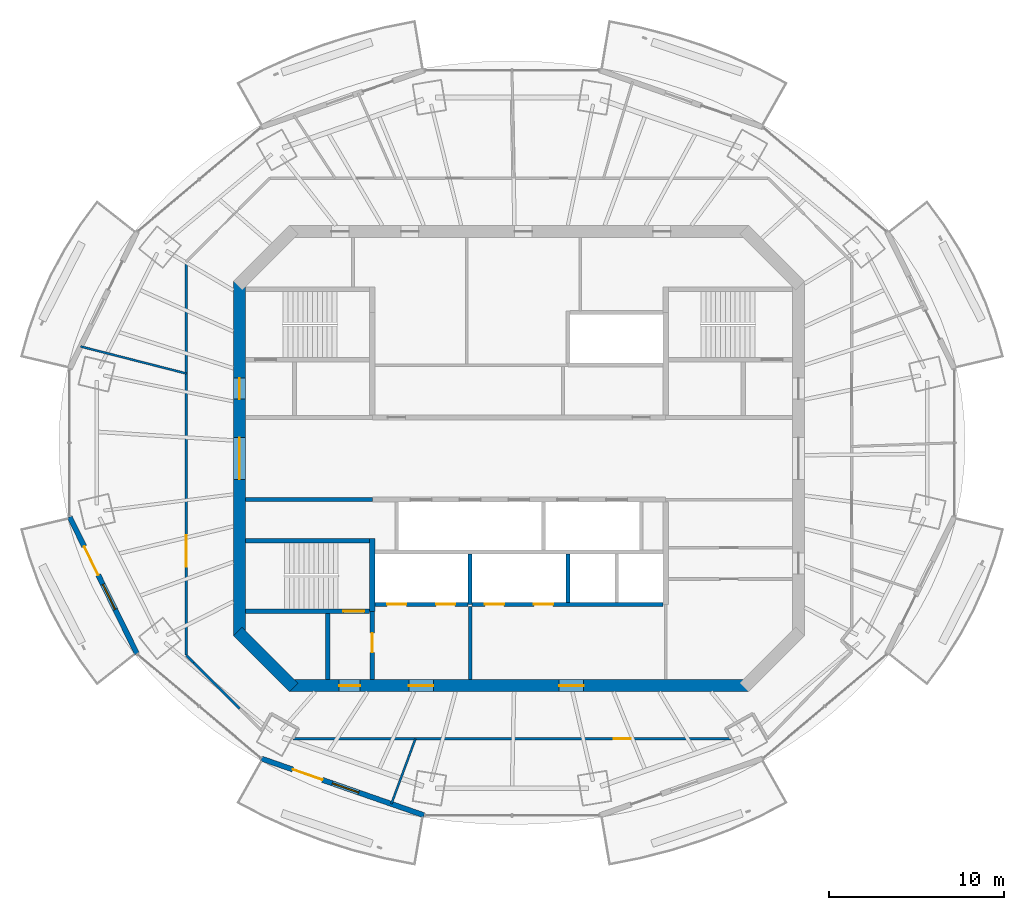
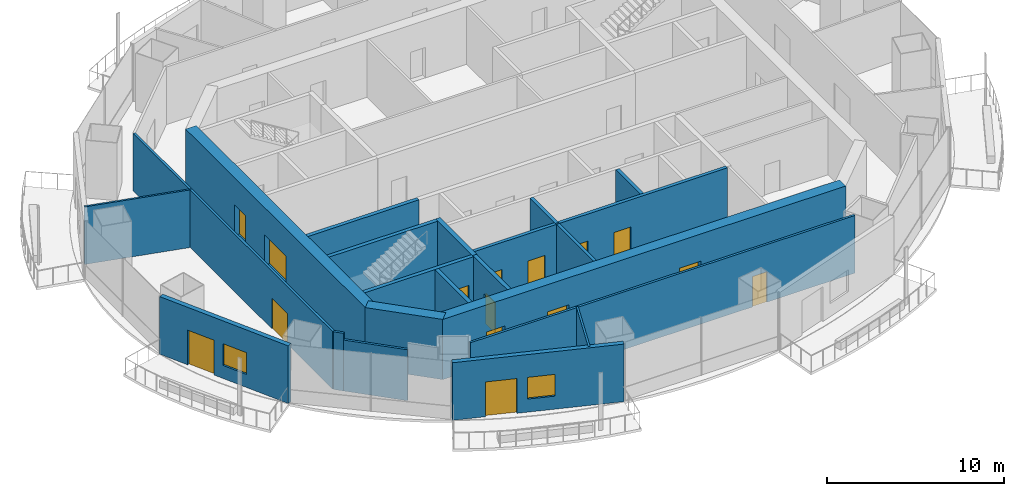
# One storey, part 8 of 16: 22 walls, 15 doors, 2 windows, 17 openings.
"""IFC4 building model written with IfcOpenShell, lengths in metres."""

from ifc_helpers import new_model, si_unit, direction, frame, frame_2d, origin, place, context, subcontext, project, spatial, rectangle, extrude, material, layer, layer_set, type_object, element, fill, save


model = new_model("IFC4")

# Units and contexts
model_context = context("Model", 3, precision=1e-05, world=origin(), true_north=direction((0.0, 1.0)))
body_context = subcontext(model_context, "Body", "Model", "MODEL_VIEW")
ifc_project = project(units=[si_unit("LENGTHUNIT", "METRE"), si_unit("AREAUNIT", "SQUARE_METRE"), si_unit("VOLUMEUNIT", "CUBIC_METRE"), si_unit("PLANEANGLEUNIT", "RADIAN"), si_unit("MASSUNIT", "GRAM", prefix="KILO")], contexts=[model_context])

# Site, building, storey
site_placement = place(None, origin())
site = spatial("IfcSite", under=ifc_project, at=site_placement, CompositionType="ELEMENT")
building_placement = place(site_placement, origin())
building = spatial("IfcBuilding", under=site, at=building_placement, Name="Marenthal Gate Tower", CompositionType="ELEMENT")
storey_placement = place(building_placement, frame((0.0, 0.0, 371.64990234375)))
storey = spatial("IfcBuildingStorey", under=building, at=storey_placement, Name="L84", CompositionType="ELEMENT", Elevation=371.64990234375)

# Wall, openings, doors
ifc_material_1 = material(Name="Concrete 60 MPa", Category="concrete")
ifc_layer_1 = layer(ifc_material_1, 0.699951171875)
ifc_layer_set_1 = layer_set([ifc_layer_1], Name="Core shear wall 700")
wall_type_1 = type_object("IfcWallType", Name="Core shear wall 700", PredefinedType="SHEAR", material=ifc_layer_set_1)
wall_1_placement = place(storey_placement, frame((-16.0, 10.14501953125, -0.179931640625), z_axis=(0.0, 0.0, 1.0), x_axis=(0.0, -1.0, 0.0)))
wall_1 = element("IfcWall", 1, at=wall_1_placement, inside=storey, type_object=wall_type_1, Name="Core wall 06", PredefinedType="SHEAR", context=body_context, shape_type="SweptSolid", body=[
    extrude(rectangle(XDim=20.2900390625, YDim=0.699951171875, at=frame_2d((10.14501953125, 0.0))), origin(), (0.0, 0.0, 1.0), 4.150146484375),
])
opening_1_placement = place(wall_1_placement, frame((8.945068359375, 0.0, 0.179931640625)))
opening_1 = element("IfcOpeningElement", 2, at=opening_1_placement, cuts=wall_1, Name="Opening D003.01", PredefinedType="OPENING", context=body_context, shape_type="SweptSolid", body=[
    extrude(rectangle(XDim=2.39990234375, YDim=2.10009765625, at=frame_2d((1.199951171875, 1.050048828125))), frame((0.0, 0.35986328125, 0.0), z_axis=(0.0, -1.0, 0.0), x_axis=(1.0, 0.0, 0.0)), (0.0, 0.0, 1.0), 0.719970703125),
])
opening_2_placement = place(wall_1_placement, frame((5.544921875, 0.0, 0.179931640625)))
opening_2 = element("IfcOpeningElement", 3, at=opening_2_placement, cuts=wall_1, Name="Opening D001.04", PredefinedType="OPENING", context=body_context, shape_type="SweptSolid", body=[
    extrude(rectangle(XDim=1.199951171875, YDim=2.10009765625, at=frame_2d((0.60009765625, 1.050048828125))), frame((0.0, 0.35986328125, 0.0), z_axis=(0.0, -1.0, 0.0), x_axis=(1.0, 0.0, 0.0)), (0.0, 0.0, 1.0), 0.719970703125),
])
ifc_material_2 = material(Name="Steel fire door", Category="steel")
door_type_1 = type_object("IfcDoorType", Name="Double fire door FD 45 2400 x 2100", OperationType="DOUBLE_DOOR_SINGLE_SWING", PredefinedType="DOOR", material=ifc_material_2)
door_1_placement = place(opening_1_placement, origin())
door_1 = element("IfcDoor", 4, at=door_1_placement, inside=storey, type_object=door_type_1, Name="Door D003.01", OperationType="DOUBLE_DOOR_SINGLE_SWING", OverallHeight=2.10009765625, OverallWidth=2.39990234375, PredefinedType="DOOR", context=body_context, shape_type="SweptSolid", body=[
    extrude(rectangle(XDim=2.39990234375, YDim=2.10009765625, at=frame_2d((1.199951171875, 1.050048828125))), frame((0.0, 0.02490234375, 0.0), z_axis=(0.0, -1.0, 0.0), x_axis=(1.0, 0.0, 0.0)), (0.0, 0.0, 1.0), 0.050048828125),
])
fill(opening_1, door_1)
ifc_material_3 = material(Name="Steel fire door", Category="steel")
door_type_2 = type_object("IfcDoorType", Name="Fire door FD 90 1200 x 2100", OperationType="NOTDEFINED", PredefinedType="DOOR", material=ifc_material_3)
door_2_placement = place(opening_2_placement, origin())
door_2 = element("IfcDoor", 5, at=door_2_placement, inside=storey, type_object=door_type_2, Name="Door D001.04", OperationType="SINGLE_SWING_RIGHT", OverallHeight=2.10009765625, OverallWidth=1.199951171875, PredefinedType="DOOR", context=body_context, shape_type="SweptSolid", body=[
    extrude(rectangle(XDim=1.199951171875, YDim=2.10009765625, at=frame_2d((0.60009765625, 1.050048828125))), frame((0.0, 0.02490234375, 0.0), z_axis=(0.0, -1.0, 0.0), x_axis=(1.0, 0.0, 0.0)), (0.0, 0.0, 1.0), 0.050048828125),
])
fill(opening_2, door_2)

# Wall
wall_2_placement = place(storey_placement, frame((-16.1025390625, -9.8974609375, -0.179931640625), z_axis=(0.0, 0.0, 1.0), x_axis=(0.707106781187, -0.707106781187, 0.0)))
element("IfcWall", 6, at=wall_2_placement, inside=storey, type_object=wall_type_1, Name="Core wall 07", PredefinedType="SHEAR", context=body_context, shape_type="SweptSolid", body=[
    extrude(rectangle(XDim=4.53271484375, YDim=0.699951171875, at=frame_2d((2.266357421875, 0.0))), origin(), (0.0, 0.0, 1.0), 4.150146484375),
])

# Wall, openings, doors
wall_3_placement = place(storey_placement, frame((-13.14501953125, -13.0, -0.179931640625), z_axis=(0.0, 0.0, 1.0), x_axis=(1.0, 0.0, 0.0)))
wall_3 = element("IfcWall", 7, at=wall_3_placement, inside=storey, type_object=wall_type_1, Name="Core wall 08", PredefinedType="SHEAR", context=body_context, shape_type="SweptSolid", body=[
    extrude(rectangle(XDim=26.2900390625, YDim=0.699951171875, at=frame_2d((13.14501953125, 0.0))), origin(), (0.0, 0.0, 1.0), 4.150146484375),
])
opening_3_placement = place(wall_3_placement, frame((2.844970703125, 0.0, 0.179931640625)))
opening_3 = element("IfcOpeningElement", 8, at=opening_3_placement, cuts=wall_3, Name="Opening D001.06", PredefinedType="OPENING", context=body_context, shape_type="SweptSolid", body=[
    extrude(rectangle(XDim=1.199951171875, YDim=2.10009765625, at=frame_2d((0.60009765625, 1.050048828125))), frame((0.0, 0.35986328125, 0.0), z_axis=(0.0, -1.0, 0.0), x_axis=(1.0, 0.0, 0.0)), (0.0, 0.0, 1.0), 0.719970703125),
])
opening_4_placement = place(wall_3_placement, frame((6.844970703125, 0.0, 0.179931640625)))
opening_4 = element("IfcOpeningElement", 9, at=opening_4_placement, cuts=wall_3, Name="Opening D004.01", PredefinedType="OPENING", context=body_context, shape_type="SweptSolid", body=[
    extrude(rectangle(XDim=1.39990234375, YDim=2.10009765625, at=frame_2d((0.699951171875, 1.050048828125))), frame((0.0, 0.35986328125, 0.0), z_axis=(0.0, -1.0, 0.0), x_axis=(1.0, 0.0, 0.0)), (0.0, 0.0, 1.0), 0.719970703125),
])
opening_5_placement = place(wall_3_placement, frame((15.445068359375, 0.0, 0.179931640625)))
opening_5 = element("IfcOpeningElement", 10, at=opening_5_placement, cuts=wall_3, Name="Opening D004.02", PredefinedType="OPENING", context=body_context, shape_type="SweptSolid", body=[
    extrude(rectangle(XDim=1.39990234375, YDim=2.10009765625, at=frame_2d((0.699951171875, 1.050048828125))), frame((0.0, 0.35986328125, 0.0), z_axis=(0.0, -1.0, 0.0), x_axis=(1.0, 0.0, 0.0)), (0.0, 0.0, 1.0), 0.719970703125),
])
ifc_material_4 = material(Name="Steel fire door", Category="steel")
door_type_3 = type_object("IfcDoorType", Name="Fire door FD 45 1400 x 2100", OperationType="NOTDEFINED", PredefinedType="DOOR", material=ifc_material_4)
door_3_placement = place(opening_4_placement, origin())
door_3 = element("IfcDoor", 11, at=door_3_placement, inside=storey, type_object=door_type_3, Name="Door D004.01", OperationType="SINGLE_SWING_RIGHT", OverallHeight=2.10009765625, OverallWidth=1.39990234375, PredefinedType="DOOR", context=body_context, shape_type="SweptSolid", body=[
    extrude(rectangle(XDim=1.39990234375, YDim=2.10009765625, at=frame_2d((0.699951171875, 1.050048828125))), frame((0.0, 0.02490234375, 0.0), z_axis=(0.0, -1.0, 0.0), x_axis=(1.0, 0.0, 0.0)), (0.0, 0.0, 1.0), 0.050048828125),
])
fill(opening_4, door_3)
door_4_placement = place(opening_5_placement, origin())
door_4 = element("IfcDoor", 12, at=door_4_placement, inside=storey, type_object=door_type_3, Name="Door D004.02", OperationType="SINGLE_SWING_RIGHT", OverallHeight=2.10009765625, OverallWidth=1.39990234375, PredefinedType="DOOR", context=body_context, shape_type="SweptSolid", body=[
    extrude(rectangle(XDim=1.39990234375, YDim=2.10009765625, at=frame_2d((0.699951171875, 1.050048828125))), frame((0.0, 0.02490234375, 0.0), z_axis=(0.0, -1.0, 0.0), x_axis=(1.0, 0.0, 0.0)), (0.0, 0.0, 1.0), 0.050048828125),
])
fill(opening_5, door_4)
door_5_placement = place(opening_3_placement, origin())
door_5 = element("IfcDoor", 13, at=door_5_placement, inside=storey, type_object=door_type_2, Name="Door D001.06", OperationType="SINGLE_SWING_RIGHT", OverallHeight=2.10009765625, OverallWidth=1.199951171875, PredefinedType="DOOR", context=body_context, shape_type="SweptSolid", body=[
    extrude(rectangle(XDim=1.199951171875, YDim=2.10009765625, at=frame_2d((0.60009765625, 1.050048828125))), frame((0.0, 0.02490234375, 0.0), z_axis=(0.0, -1.0, 0.0), x_axis=(1.0, 0.0, 0.0)), (0.0, 0.0, 1.0), 0.050048828125),
])
fill(opening_3, door_5)

# Walls
ifc_material_5 = material(Name="Gypsum board on steel studs", Category="steel")
ifc_layer_2 = layer(ifc_material_5, 0.199951171875)
ifc_layer_set_2 = layer_set([ifc_layer_2], Name="Fire lobby wall 200")
wall_type_2 = type_object("IfcWallType", Name="Fire lobby wall 200", PredefinedType="PARTITIONING", material=ifc_layer_set_2)
wall_4_placement = place(storey_placement, frame((-2.800048828125, -12.64990234375, 0.0), z_axis=(0.0, 0.0, 1.0), x_axis=(0.0, 1.0, 0.0)))
element("IfcWall", 14, at=wall_4_placement, inside=storey, type_object=wall_type_2, Name="Fire wall 38", PredefinedType="PARTITIONING", context=body_context, shape_type="SweptSolid", body=[
    extrude(rectangle(XDim=4.18994140625, YDim=0.199951171875, at=frame_2d((2.094970703125, 0.0))), origin(), (0.0, 0.0, 1.0), 3.97021484375),
])
ifc_material_6 = material(Name="Concrete 50 MPa", Category="concrete")
ifc_layer_3 = layer(ifc_material_6, 0.300048828125)
ifc_layer_set_3 = layer_set([ifc_layer_3], Name="Hoistway shear wall 300")
wall_type_3 = type_object("IfcWallType", Name="Hoistway shear wall 300", PredefinedType="SHEAR", material=ifc_layer_set_3)
wall_5_placement = place(storey_placement, frame((-8.39990234375, -8.75, -0.179931640625), z_axis=(0.0, 0.0, 1.0), x_axis=(0.0, 1.0, 0.0)))
element("IfcWall", 15, at=wall_5_placement, inside=storey, type_object=wall_type_3, Name="Hoistway wall 33", PredefinedType="SHEAR", context=body_context, shape_type="SweptSolid", body=[
    extrude(rectangle(XDim=4.175048828125, YDim=0.300048828125, at=frame_2d((2.08740234375, 0.0))), origin(), (0.0, 0.0, 1.0), 4.150146484375),
])

# Wall, openings, doors
ifc_material_7 = material(Name="Concrete 40 MPa", Category="concrete")
ifc_layer_4 = layer(ifc_material_7, 0.219970703125)
ifc_layer_set_4 = layer_set([ifc_layer_4], Name="Hoistway wall 220")
wall_type_4 = type_object("IfcWallType", Name="Hoistway wall 220", PredefinedType="STANDARD", material=ifc_layer_set_4)
wall_6_placement = place(storey_placement, frame((-8.25, -8.35009765625, 0.0), z_axis=(0.0, 0.0, 1.0), x_axis=(1.0, 0.0, 0.0)))
wall_6 = element("IfcWall", 16, at=wall_6_placement, inside=storey, type_object=wall_type_4, Name="Hoistway wall 10", PredefinedType="STANDARD", context=body_context, shape_type="SweptSolid", body=[
    extrude(rectangle(XDim=5.340087890625, YDim=0.219970703125, at=frame_2d((2.669921875, 0.0))), origin(), (0.0, 0.0, 1.0), 3.97021484375),
])
opening_6_placement = place(wall_6_placement, frame((0.699951171875, 0.0, 0.0)))
opening_6 = element("IfcOpeningElement", 17, at=opening_6_placement, cuts=wall_6, Name="Opening LD-LF1", PredefinedType="OPENING", context=body_context, shape_type="SweptSolid", body=[
    extrude(rectangle(XDim=1.10009765625, YDim=2.10009765625, at=frame_2d((0.550048828125, 1.050048828125))), frame((0.0, 0.1201171875, 0.0), z_axis=(0.0, -1.0, 0.0), x_axis=(1.0, 0.0, 0.0)), (0.0, 0.0, 1.0), 0.239990234375),
])
opening_7_placement = place(wall_6_placement, frame((3.5, 0.0, 0.0)))
opening_7 = element("IfcOpeningElement", 18, at=opening_7_placement, cuts=wall_6, Name="Opening LD-LF2", PredefinedType="OPENING", context=body_context, shape_type="SweptSolid", body=[
    extrude(rectangle(XDim=1.10009765625, YDim=2.10009765625, at=frame_2d((0.550048828125, 1.050048828125))), frame((0.0, 0.1201171875, 0.0), z_axis=(0.0, -1.0, 0.0), x_axis=(1.0, 0.0, 0.0)), (0.0, 0.0, 1.0), 0.239990234375),
])
ifc_material_8 = material(Name="Stainless steel sliding door", Category="steel")
door_type_4 = type_object("IfcDoorType", Name="Lift landing door FD 90 1100 x 2100", OperationType="DOUBLE_DOOR_SLIDING", PredefinedType="DOOR", material=ifc_material_8)
door_6_placement = place(opening_6_placement, origin())
door_6 = element("IfcDoor", 19, at=door_6_placement, inside=storey, type_object=door_type_4, Name="Lift landing door LF1", OperationType="DOUBLE_DOOR_SLIDING", OverallHeight=2.10009765625, OverallWidth=1.10009765625, PredefinedType="DOOR", context=body_context, shape_type="SweptSolid", body=[
    extrude(rectangle(XDim=1.10009765625, YDim=2.10009765625, at=frame_2d((0.550048828125, 1.050048828125))), frame((0.0, 0.02490234375, 0.0), z_axis=(0.0, -1.0, 0.0), x_axis=(1.0, 0.0, 0.0)), (0.0, 0.0, 1.0), 0.050048828125),
])
fill(opening_6, door_6)
door_7_placement = place(opening_7_placement, origin())
door_7 = element("IfcDoor", 20, at=door_7_placement, inside=storey, type_object=door_type_4, Name="Lift landing door LF2", OperationType="DOUBLE_DOOR_SLIDING", OverallHeight=2.10009765625, OverallWidth=1.10009765625, PredefinedType="DOOR", context=body_context, shape_type="SweptSolid", body=[
    extrude(rectangle(XDim=1.10009765625, YDim=2.10009765625, at=frame_2d((0.550048828125, 1.050048828125))), frame((0.0, 0.02490234375, 0.0), z_axis=(0.0, -1.0, 0.0), x_axis=(1.0, 0.0, 0.0)), (0.0, 0.0, 1.0), 0.050048828125),
])
fill(opening_7, door_7)

wall_7_placement = place(storey_placement, frame((-2.68994140625, -8.35009765625, 0.0), z_axis=(0.0, 0.0, 1.0), x_axis=(1.0, 0.0, 0.0)))
wall_7 = element("IfcWall", 21, at=wall_7_placement, inside=storey, type_object=wall_type_4, Name="Hoistway wall 11", PredefinedType="STANDARD", context=body_context, shape_type="SweptSolid", body=[
    extrude(rectangle(XDim=10.93994140625, YDim=0.219970703125, at=frame_2d((5.469970703125, 0.0))), origin(), (0.0, 0.0, 1.0), 3.97021484375),
])
opening_8_placement = place(wall_7_placement, frame((0.739990234375, 0.0, 0.0)))
opening_8 = element("IfcOpeningElement", 22, at=opening_8_placement, cuts=wall_7, Name="Opening LD-SV1", PredefinedType="OPENING", context=body_context, shape_type="SweptSolid", body=[
    extrude(rectangle(XDim=1.10009765625, YDim=2.10009765625, at=frame_2d((0.550048828125, 1.050048828125))), frame((0.0, 0.1201171875, 0.0), z_axis=(0.0, -1.0, 0.0), x_axis=(1.0, 0.0, 0.0)), (0.0, 0.0, 1.0), 0.239990234375),
])
opening_9_placement = place(wall_7_placement, frame((3.5400390625, 0.0, 0.0)))
opening_9 = element("IfcOpeningElement", 23, at=opening_9_placement, cuts=wall_7, Name="Opening LD-SV2", PredefinedType="OPENING", context=body_context, shape_type="SweptSolid", body=[
    extrude(rectangle(XDim=1.10009765625, YDim=2.10009765625, at=frame_2d((0.550048828125, 1.050048828125))), frame((0.0, 0.1201171875, 0.0), z_axis=(0.0, -1.0, 0.0), x_axis=(1.0, 0.0, 0.0)), (0.0, 0.0, 1.0), 0.239990234375),
])
door_8_placement = place(opening_8_placement, origin())
door_8 = element("IfcDoor", 24, at=door_8_placement, inside=storey, type_object=door_type_4, Name="Lift landing door SV1", OperationType="DOUBLE_DOOR_SLIDING", OverallHeight=2.10009765625, OverallWidth=1.10009765625, PredefinedType="DOOR", context=body_context, shape_type="SweptSolid", body=[
    extrude(rectangle(XDim=1.10009765625, YDim=2.10009765625, at=frame_2d((0.550048828125, 1.050048828125))), frame((0.0, 0.02490234375, 0.0), z_axis=(0.0, -1.0, 0.0), x_axis=(1.0, 0.0, 0.0)), (0.0, 0.0, 1.0), 0.050048828125),
])
fill(opening_8, door_8)
door_9_placement = place(opening_9_placement, origin())
door_9 = element("IfcDoor", 25, at=door_9_placement, inside=storey, type_object=door_type_4, Name="Lift landing door SV2", OperationType="DOUBLE_DOOR_SLIDING", OverallHeight=2.10009765625, OverallWidth=1.10009765625, PredefinedType="DOOR", context=body_context, shape_type="SweptSolid", body=[
    extrude(rectangle(XDim=1.10009765625, YDim=2.10009765625, at=frame_2d((0.550048828125, 1.050048828125))), frame((0.0, 0.02490234375, 0.0), z_axis=(0.0, -1.0, 0.0), x_axis=(1.0, 0.0, 0.0)), (0.0, 0.0, 1.0), 0.050048828125),
])
fill(opening_9, door_9)

# Walls
wall_8_placement = place(storey_placement, frame((-2.800048828125, -8.35009765625, 0.0), z_axis=(0.0, 0.0, 1.0), x_axis=(0.0, 1.0, 0.0)))
element("IfcWall", 26, at=wall_8_placement, inside=storey, type_object=wall_type_4, Name="Hoistway wall 39", PredefinedType="STANDARD", context=body_context, shape_type="SweptSolid", body=[
    extrude(rectangle(XDim=2.89013671875, YDim=0.219970703125, at=frame_2d((1.445068359375, 0.0))), origin(), (0.0, 0.0, 1.0), 3.97021484375),
])
wall_9_placement = place(storey_placement, frame((2.800048828125, -8.239990234375, 0.0), z_axis=(0.0, 0.0, 1.0), x_axis=(0.0, 1.0, 0.0)))
element("IfcWall", 27, at=wall_9_placement, inside=storey, type_object=wall_type_4, Name="Hoistway wall 42", PredefinedType="STANDARD", context=body_context, shape_type="SweptSolid", body=[
    extrude(rectangle(XDim=2.780029296875, YDim=0.219970703125, at=frame_2d((1.39013671875, 0.0))), origin(), (0.0, 0.0, 1.0), 3.97021484375),
])
ifc_material_9 = material(Name="Gypsum board on steel studs", Category="steel")
ifc_layer_5 = layer(ifc_material_9, 0.1201171875)
ifc_layer_set_5 = layer_set([ifc_layer_5], Name="Partition 120")
wall_type_5 = type_object("IfcWallType", Name="Partition 120", PredefinedType="PARTITIONING", material=ifc_layer_set_5)
wall_10_placement = place(storey_placement, frame((-19.050048828125, 4.868408203125, 0.0), z_axis=(0.0, 0.0, 1.0), x_axis=(-0.968871434857, 0.247564421351, 0.0)))
element("IfcWall", 28, at=wall_10_placement, inside=storey, type_object=wall_type_5, Name="Partition wall 53", PredefinedType="PARTITIONING", context=body_context, shape_type="SweptSolid", body=[
    extrude(rectangle(XDim=6.244384765625, YDim=0.1201171875, at=frame_2d((3.1220703125, 0.0))), origin(), (0.0, 0.0, 1.0), 3.97021484375),
])
wall_11_placement = place(storey_placement, frame((-5.929931640625, -16.050048828125, 0.0), z_axis=(0.0, 0.0, 1.0), x_axis=(-0.346585471855, -0.938018395715, 0.0)))
element("IfcWall", 29, at=wall_11_placement, inside=storey, type_object=wall_type_5, Name="Partition wall 62", PredefinedType="PARTITIONING", context=body_context, shape_type="SweptSolid", body=[
    extrude(rectangle(XDim=3.971435546875, YDim=0.1201171875, at=frame_2d((1.98583984375, 0.0))), origin(), (0.0, 0.0, 1.0), 3.97021484375),
])

# Wall, opening, door
ifc_material_10 = material(Name="Gypsum board on steel studs", Category="steel")
ifc_layer_6 = layer(ifc_material_10, 0.14990234375)
ifc_layer_set_6 = layer_set([ifc_layer_6], Name="Partition 150")
wall_type_6 = type_object("IfcWallType", Name="Partition 150", PredefinedType="PARTITIONING", material=ifc_layer_set_6)
wall_12_placement = place(storey_placement, frame((-19.050048828125, -11.263427734375, 0.0), z_axis=(0.0, 0.0, 1.0), x_axis=(0.0, 1.0, 0.0)))
wall_12 = element("IfcWall", 30, at=wall_12_placement, inside=storey, type_object=wall_type_6, Name="Partition wall 52", PredefinedType="PARTITIONING", context=body_context, shape_type="SweptSolid", body=[
    extrude(rectangle(XDim=22.52685546875, YDim=0.14990234375, at=frame_2d((11.263427734375, 0.0))), origin(), (0.0, 0.0, 1.0), 3.97021484375),
])
opening_10_placement = place(wall_12_placement, frame((5.06494140625, 0.0, 0.0)))
opening_10 = element("IfcOpeningElement", 31, at=opening_10_placement, cuts=wall_12, Name="Opening D014.03", PredefinedType="OPENING", context=body_context, shape_type="SweptSolid", body=[
    extrude(rectangle(XDim=1.800048828125, YDim=2.10009765625, at=frame_2d((0.89990234375, 1.050048828125))), frame((0.0, 0.0849609375, 0.0), z_axis=(0.0, -1.0, 0.0), x_axis=(1.0, 0.0, 0.0)), (0.0, 0.0, 1.0), 0.169921875),
])
ifc_material_11 = material(Name="Timber door", Category="wood")
door_type_5 = type_object("IfcDoorType", Name="Double door 1800 x 2100", OperationType="DOUBLE_DOOR_SINGLE_SWING", PredefinedType="DOOR", material=ifc_material_11)
door_10_placement = place(opening_10_placement, origin())
door_10 = element("IfcDoor", 32, at=door_10_placement, inside=storey, type_object=door_type_5, Name="Door D014.03", OperationType="DOUBLE_DOOR_SINGLE_SWING", OverallHeight=2.10009765625, OverallWidth=1.800048828125, PredefinedType="DOOR", context=body_context, shape_type="SweptSolid", body=[
    extrude(rectangle(XDim=1.800048828125, YDim=2.10009765625, at=frame_2d((0.89990234375, 1.050048828125))), frame((0.0, 0.02490234375, 0.0), z_axis=(0.0, -1.0, 0.0), x_axis=(1.0, 0.0, 0.0)), (0.0, 0.0, 1.0), 0.050048828125),
])
fill(opening_10, door_10)

# Walls
wall_13_placement = place(storey_placement, frame((-15.99267578125, -14.32080078125, 0.0), z_axis=(0.0, 0.0, 1.0), x_axis=(-0.70707399087, 0.707139569983, 0.0)))
element("IfcWall", 33, at=wall_13_placement, inside=storey, type_object=wall_type_6, Name="Partition wall 77", PredefinedType="PARTITIONING", context=body_context, shape_type="SweptSolid", body=[
    extrude(rectangle(XDim=3.722900390625, YDim=0.14990234375, at=frame_2d((1.861328125, 0.0))), origin(), (0.0, 0.0, 1.0), 3.51318359375),
])
wall_14_placement = place(storey_placement, frame((-18.625, -11.688232421875, 0.0), z_axis=(0.0, 0.0, 1.0), x_axis=(-0.707309885233, 0.706903618785, 0.0)))
element("IfcWall", 34, at=wall_14_placement, inside=storey, type_object=wall_type_6, Name="Partition wall 78", PredefinedType="PARTITIONING", context=body_context, shape_type="SweptSolid", body=[
    extrude(rectangle(XDim=0.600830078125, YDim=0.14990234375, at=frame_2d((0.30029296875, 0.0))), origin(), (0.0, 0.0, 1.0), 3.97021484375),
])

# Wall, opening, door
wall_15_placement = place(storey_placement, frame((12.140380859375, -16.050048828125, 0.0), z_axis=(0.0, 0.0, 1.0), x_axis=(-1.0, 0.0, 0.0)))
wall_15 = element("IfcWall", 35, at=wall_15_placement, inside=storey, type_object=wall_type_6, Name="Partition wall 66", PredefinedType="PARTITIONING", context=body_context, shape_type="SweptSolid", body=[
    extrude(rectangle(XDim=25.080810546875, YDim=0.14990234375, at=frame_2d((12.54052734375, 0.0))), origin(), (0.0, 0.0, 1.0), 3.97021484375),
])
opening_11_placement = place(wall_15_placement, frame((5.751953125, 0.0, 0.0)))
opening_11 = element("IfcOpeningElement", 36, at=opening_11_placement, cuts=wall_15, Name="Opening D016.05", PredefinedType="OPENING", context=body_context, shape_type="SweptSolid", body=[
    extrude(rectangle(XDim=0.949951171875, YDim=2.10009765625, at=frame_2d((0.47509765625, 1.050048828125))), frame((0.0, 0.0849609375, 0.0), z_axis=(0.0, -1.0, 0.0), x_axis=(1.0, 0.0, 0.0)), (0.0, 0.0, 1.0), 0.169921875),
])
ifc_material_12 = material(Name="Timber door", Category="wood")
door_type_6 = type_object("IfcDoorType", Name="Door 950 x 2100", OperationType="NOTDEFINED", PredefinedType="DOOR", material=ifc_material_12)
door_11_placement = place(opening_11_placement, frame((0.949951171875, 0.0, 0.0), z_axis=(0.0, 0.0, 1.0), x_axis=(-1.0, 0.0, 0.0)))
door_11 = element("IfcDoor", 37, at=door_11_placement, inside=storey, type_object=door_type_6, Name="Door D016.05", OperationType="SINGLE_SWING_LEFT", OverallHeight=2.10009765625, OverallWidth=0.949951171875, PredefinedType="DOOR", context=body_context, shape_type="SweptSolid", body=[
    extrude(rectangle(XDim=0.949951171875, YDim=2.10009765625, at=frame_2d((0.47509765625, 1.050048828125))), frame((0.0, 0.02490234375, 0.0), z_axis=(0.0, -1.0, 0.0), x_axis=(1.0, 0.0, 0.0)), (0.0, 0.0, 1.0), 0.050048828125),
])
fill(opening_11, door_11)

# Walls
ifc_material_13 = material(Name="Concrete 40 MPa", Category="concrete")
ifc_layer_7 = layer(ifc_material_13, 0.25)
ifc_layer_set_7 = layer_set([ifc_layer_7], Name="Stair enclosure wall 250")
wall_type_7 = type_object("IfcWallType", Name="Stair enclosure wall 250", PredefinedType="STANDARD", material=ifc_layer_set_7)
wall_16_placement = place(storey_placement, frame((-15.64990234375, -2.35009765625, 0.0), z_axis=(0.0, 0.0, 1.0), x_axis=(1.0, 0.0, 0.0)))
element("IfcWall", 38, at=wall_16_placement, inside=storey, type_object=wall_type_7, Name="Stair wall 16", PredefinedType="STANDARD", context=body_context, shape_type="SweptSolid", body=[
    extrude(rectangle(XDim=7.25, YDim=0.25, at=frame_2d((3.625, 0.0))), origin(), (0.0, 0.0, 1.0), 3.97021484375),
])
wall_17_placement = place(storey_placement, frame((-10.949951171875, -12.64990234375, 0.0), z_axis=(0.0, 0.0, 1.0), x_axis=(0.0, 1.0, 0.0)))
element("IfcWall", 39, at=wall_17_placement, inside=storey, type_object=wall_type_7, Name="Stair wall 30", PredefinedType="STANDARD", context=body_context, shape_type="SweptSolid", body=[
    extrude(rectangle(XDim=3.77490234375, YDim=0.25, at=frame_2d((1.887451171875, 0.0))), origin(), (0.0, 0.0, 1.0), 3.97021484375),
])

# Wall, opening, door
wall_18_placement = place(storey_placement, frame((-8.39990234375, -12.64990234375, 0.0), z_axis=(0.0, 0.0, 1.0), x_axis=(0.0, 1.0, 0.0)))
wall_18 = element("IfcWall", 40, at=wall_18_placement, inside=storey, type_object=wall_type_7, Name="Stair wall 32", PredefinedType="STANDARD", context=body_context, shape_type="SweptSolid", body=[
    extrude(rectangle(XDim=3.89990234375, YDim=0.25, at=frame_2d((1.949951171875, 0.0))), origin(), (0.0, 0.0, 1.0), 3.97021484375),
])
opening_12_placement = place(wall_18_placement, frame((1.550048828125, 0.0, 0.0)))
opening_12 = element("IfcOpeningElement", 41, at=opening_12_placement, cuts=wall_18, Name="Opening D002.01", PredefinedType="OPENING", context=body_context, shape_type="SweptSolid", body=[
    extrude(rectangle(XDim=1.10009765625, YDim=2.10009765625, at=frame_2d((0.550048828125, 1.050048828125))), frame((0.0, 0.135009765625, 0.0), z_axis=(0.0, -1.0, 0.0), x_axis=(1.0, 0.0, 0.0)), (0.0, 0.0, 1.0), 0.27001953125),
])
ifc_material_14 = material(Name="Steel fire door", Category="steel")
door_type_7 = type_object("IfcDoorType", Name="Fire door FD 90 1100 x 2100", OperationType="NOTDEFINED", PredefinedType="DOOR", material=ifc_material_14)
door_12_placement = place(opening_12_placement, origin())
door_12 = element("IfcDoor", 42, at=door_12_placement, inside=storey, type_object=door_type_7, Name="Door D002.01", OperationType="SINGLE_SWING_RIGHT", OverallHeight=2.10009765625, OverallWidth=1.10009765625, PredefinedType="DOOR", context=body_context, shape_type="SweptSolid", body=[
    extrude(rectangle(XDim=1.10009765625, YDim=2.10009765625, at=frame_2d((0.550048828125, 1.050048828125))), frame((0.0, 0.02490234375, 0.0), z_axis=(0.0, -1.0, 0.0), x_axis=(1.0, 0.0, 0.0)), (0.0, 0.0, 1.0), 0.050048828125),
])
fill(opening_12, door_12)

ifc_material_15 = material(Name="Concrete 50 MPa", Category="concrete")
ifc_layer_8 = layer(ifc_material_15, 0.25)
ifc_layer_set_8 = layer_set([ifc_layer_8], Name="Stair shear wall 250")
wall_type_8 = type_object("IfcWallType", Name="Stair shear wall 250", PredefinedType="SHEAR", material=ifc_layer_set_8)
wall_19_placement = place(storey_placement, frame((-15.64990234375, -8.75, -0.179931640625), z_axis=(0.0, 0.0, 1.0), x_axis=(1.0, 0.0, 0.0)))
wall_19 = element("IfcWall", 43, at=wall_19_placement, inside=storey, type_object=wall_type_8, Name="Stair wall 09", PredefinedType="SHEAR", context=body_context, shape_type="SweptSolid", body=[
    extrude(rectangle(XDim=7.099853515625, YDim=0.25, at=frame_2d((3.5498046875, 0.0))), origin(), (0.0, 0.0, 1.0), 4.150146484375),
])
opening_13_placement = place(wall_19_placement, frame((5.60009765625, 0.0, 0.179931640625)))
opening_13 = element("IfcOpeningElement", 44, at=opening_13_placement, cuts=wall_19, Name="Opening D001.03", PredefinedType="OPENING", context=body_context, shape_type="SweptSolid", body=[
    extrude(rectangle(XDim=1.199951171875, YDim=2.10009765625, at=frame_2d((0.60009765625, 1.050048828125))), frame((0.0, 0.135009765625, 0.0), z_axis=(0.0, -1.0, 0.0), x_axis=(1.0, 0.0, 0.0)), (0.0, 0.0, 1.0), 0.27001953125),
])
door_13_placement = place(opening_13_placement, origin())
door_13 = element("IfcDoor", 45, at=door_13_placement, inside=storey, type_object=door_type_2, Name="Door D001.03", OperationType="SINGLE_SWING_RIGHT", OverallHeight=2.10009765625, OverallWidth=1.199951171875, PredefinedType="DOOR", context=body_context, shape_type="SweptSolid", body=[
    extrude(rectangle(XDim=1.199951171875, YDim=2.10009765625, at=frame_2d((0.60009765625, 1.050048828125))), frame((0.0, 0.02490234375, 0.0), z_axis=(0.0, -1.0, 0.0), x_axis=(1.0, 0.0, 0.0)), (0.0, 0.0, 1.0), 0.050048828125),
])
fill(opening_13, door_13)

# Wall
wall_20_placement = place(storey_placement, frame((-15.64990234375, -4.699951171875, -0.179931640625), z_axis=(0.0, 0.0, 1.0), x_axis=(1.0, 0.0, 0.0)))
element("IfcWall", 46, at=wall_20_placement, inside=storey, type_object=wall_type_8, Name="Stair wall 15", PredefinedType="SHEAR", context=body_context, shape_type="SweptSolid", body=[
    extrude(rectangle(XDim=7.099853515625, YDim=0.25, at=frame_2d((3.5498046875, 0.0))), origin(), (0.0, 0.0, 1.0), 4.150146484375),
])

# Wall, openings, door, window
ifc_material_16 = material(Name="Terracotta cladding on insulated concrete-block backing", Category="masonry")
ifc_layer_9 = layer(ifc_material_16, 0.300048828125)
ifc_layer_set_9 = layer_set([ifc_layer_9], Name="Terracotta facade wall 300")
wall_type_9 = type_object("IfcWallType", Name="Terracotta facade wall 300", PredefinedType="SOLIDWALL", material=ifc_layer_set_9)
wall_21_placement = place(storey_placement, frame((-25.725830078125, -3.34228515625, 0.0), z_axis=(0.0, 0.0, 1.0), x_axis=(0.44137978975, -0.897320389382, 0.0)))
wall_21 = element("IfcWall", 47, at=wall_21_placement, inside=storey, type_object=wall_type_9, Name="Terracotta facade wall L84 bay 9", PredefinedType="SOLIDWALL", context=body_context, shape_type="SweptSolid", body=[
    extrude(rectangle(XDim=8.735595703125, YDim=0.300048828125, at=frame_2d((4.36767578125, 0.0))), origin(), (0.0, 0.0, 1.0), 3.97021484375),
])
opening_14_placement = place(wall_21_placement, frame((1.89990234375, 0.0, 0.0)))
opening_14 = element("IfcOpeningElement", 48, at=opening_14_placement, cuts=wall_21, Name="Opening BD-L84-09", PredefinedType="OPENING", context=body_context, shape_type="SweptSolid", body=[
    extrude(rectangle(XDim=1.800048828125, YDim=2.39990234375, at=frame_2d((0.89990234375, 1.199951171875))), frame((0.0, 0.16015625, 0.0), z_axis=(0.0, -1.0, 0.0), x_axis=(1.0, 0.0, 0.0)), (0.0, 0.0, 1.0), 0.320068359375),
])
opening_15_placement = place(wall_21_placement, frame((4.300048828125, 0.0, 0.89990234375)))
opening_15 = element("IfcOpeningElement", 49, at=opening_15_placement, cuts=wall_21, Name="Opening WN3-L84-09", PredefinedType="OPENING", context=body_context, shape_type="SweptSolid", body=[
    extrude(rectangle(XDim=1.60009765625, YDim=1.5, at=frame_2d((0.800048828125, 0.75))), frame((0.0, 0.16015625, 0.0), z_axis=(0.0, -1.0, 0.0), x_axis=(1.0, 0.0, 0.0)), (0.0, 0.0, 1.0), 0.320068359375),
])
ifc_material_17 = material(Name="Aluminium and glass", Category="aluminium")
door_type_8 = type_object("IfcDoorType", Name="Balcony door 1800x2400", OperationType="DOUBLE_DOOR_SINGLE_SWING", PredefinedType="DOOR", material=ifc_material_17)
door_14_placement = place(opening_14_placement, origin())
door_14 = element("IfcDoor", 50, at=door_14_placement, inside=storey, type_object=door_type_8, Name="Balcony door L84 bay 9", OperationType="SINGLE_SWING_LEFT", OverallHeight=2.39990234375, OverallWidth=1.800048828125, PredefinedType="DOOR", context=body_context, shape_type="SweptSolid", body=[
    extrude(rectangle(XDim=1.800048828125, YDim=2.39990234375, at=frame_2d((0.89990234375, 1.199951171875))), frame((0.0, 0.02490234375, 0.0), z_axis=(0.0, -1.0, 0.0), x_axis=(1.0, 0.0, 0.0)), (0.0, 0.0, 1.0), 0.050048828125),
])
fill(opening_14, door_14)
ifc_material_18 = material(Name="Aluminium and glass", Category="aluminium")
window_type = type_object("IfcWindowType", Name="Window 1600x1500", PartitioningType="DOUBLE_PANEL_VERTICAL", PredefinedType="WINDOW", material=ifc_material_18)
window_1_placement = place(opening_15_placement, origin())
window_1 = element("IfcWindow", 51, at=window_1_placement, inside=storey, type_object=window_type, Name="Window L84 bay 9", OverallHeight=1.5, OverallWidth=1.60009765625, PartitioningType="SINGLE_PANEL", PredefinedType="WINDOW", context=body_context, shape_type="SweptSolid", body=[
    extrude(rectangle(XDim=1.60009765625, YDim=1.5, at=frame_2d((0.800048828125, 0.75))), frame((0.0, 0.030029296875, 0.0), z_axis=(0.0, -1.0, 0.0), x_axis=(1.0, 0.0, 0.0)), (0.0, 0.0, 1.0), 0.06005859375),
])
fill(opening_15, window_1)

wall_22_placement = place(storey_placement, frame((-14.745849609375, -17.180419921875, 0.0), z_axis=(0.0, 0.0, 1.0), x_axis=(0.944206092036, -0.329355212138, 0.0)))
wall_22 = element("IfcWall", 52, at=wall_22_placement, inside=storey, type_object=wall_type_9, Name="Terracotta facade wall L84 bay 11", PredefinedType="SOLIDWALL", context=body_context, shape_type="SweptSolid", body=[
    extrude(rectangle(XDim=9.858154296875, YDim=0.300048828125, at=frame_2d((4.92919921875, 0.0))), origin(), (0.0, 0.0, 1.0), 3.97021484375),
])
opening_16_placement = place(wall_22_placement, frame((1.89990234375, 0.0, 0.0)))
opening_16 = element("IfcOpeningElement", 53, at=opening_16_placement, cuts=wall_22, Name="Opening BD-L84-11", PredefinedType="OPENING", context=body_context, shape_type="SweptSolid", body=[
    extrude(rectangle(XDim=1.800048828125, YDim=2.39990234375, at=frame_2d((0.89990234375, 1.199951171875))), frame((0.0, 0.16015625, 0.0), z_axis=(0.0, -1.0, 0.0), x_axis=(1.0, 0.0, 0.0)), (0.0, 0.0, 1.0), 0.320068359375),
])
opening_17_placement = place(wall_22_placement, frame((4.300048828125, 0.0, 0.89990234375)))
opening_17 = element("IfcOpeningElement", 54, at=opening_17_placement, cuts=wall_22, Name="Opening WN3-L84-11", PredefinedType="OPENING", context=body_context, shape_type="SweptSolid", body=[
    extrude(rectangle(XDim=1.60009765625, YDim=1.5, at=frame_2d((0.800048828125, 0.75))), frame((0.0, 0.16015625, 0.0), z_axis=(0.0, -1.0, 0.0), x_axis=(1.0, 0.0, 0.0)), (0.0, 0.0, 1.0), 0.320068359375),
])
door_15_placement = place(opening_16_placement, origin())
door_15 = element("IfcDoor", 55, at=door_15_placement, inside=storey, type_object=door_type_8, Name="Balcony door L84 bay 11", OperationType="SINGLE_SWING_LEFT", OverallHeight=2.39990234375, OverallWidth=1.800048828125, PredefinedType="DOOR", context=body_context, shape_type="SweptSolid", body=[
    extrude(rectangle(XDim=1.800048828125, YDim=2.39990234375, at=frame_2d((0.89990234375, 1.199951171875))), frame((0.0, 0.02490234375, 0.0), z_axis=(0.0, -1.0, 0.0), x_axis=(1.0, 0.0, 0.0)), (0.0, 0.0, 1.0), 0.050048828125),
])
fill(opening_16, door_15)
window_2_placement = place(opening_17_placement, origin())
window_2 = element("IfcWindow", 56, at=window_2_placement, inside=storey, type_object=window_type, Name="Window L84 bay 11", OverallHeight=1.5, OverallWidth=1.60009765625, PartitioningType="SINGLE_PANEL", PredefinedType="WINDOW", context=body_context, shape_type="SweptSolid", body=[
    extrude(rectangle(XDim=1.60009765625, YDim=1.5, at=frame_2d((0.800048828125, 0.75))), frame((0.0, 0.030029296875, 0.0), z_axis=(0.0, -1.0, 0.0), x_axis=(1.0, 0.0, 0.0)), (0.0, 0.0, 1.0), 0.06005859375),
])
fill(opening_17, window_2)

save(model, "model.ifc")
